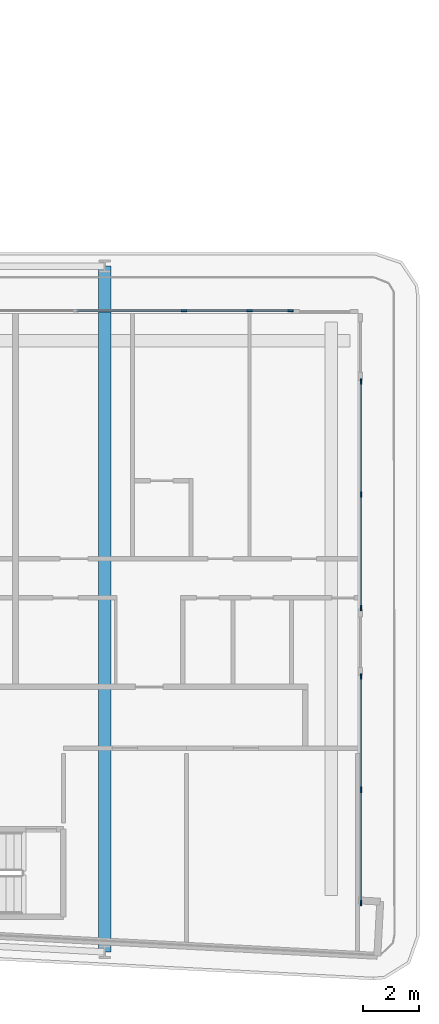
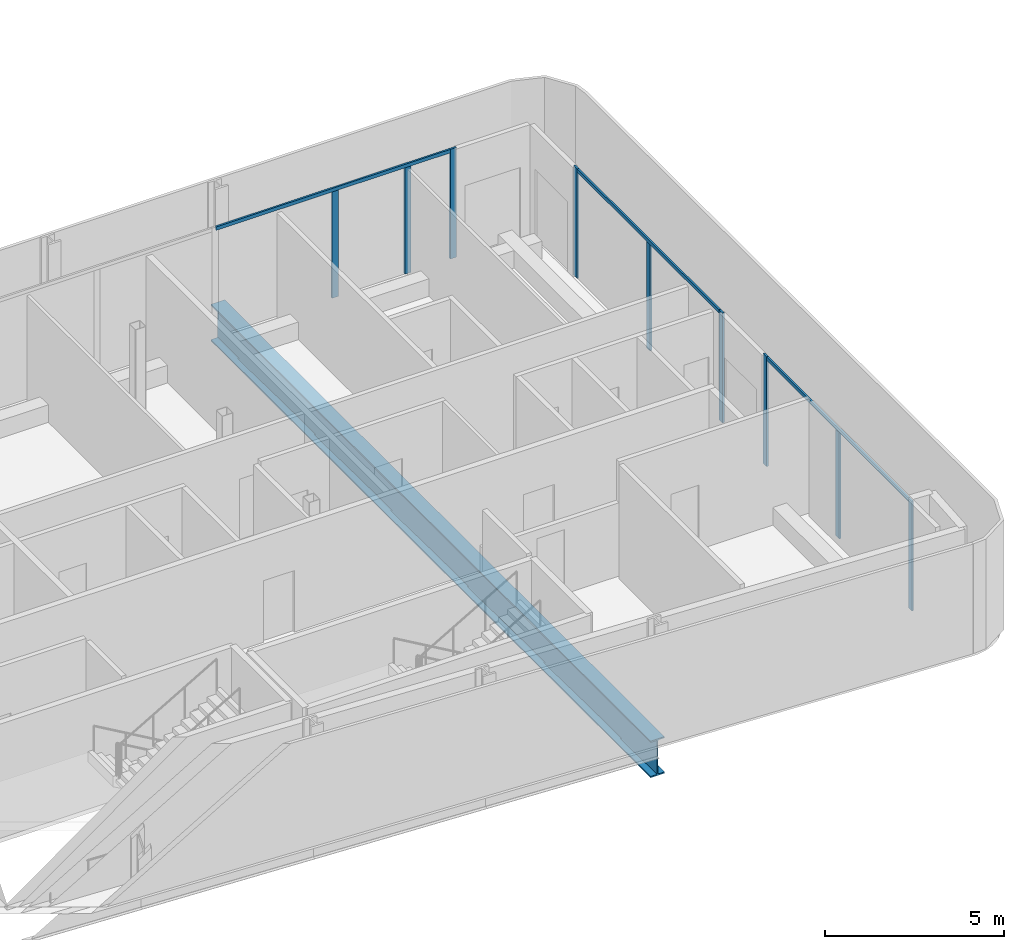
# One storey, part 8 of 26: 12 members, 1 beam, 3 elements without a shape of their own.
"""IFC4 building model written with IfcOpenShell, lengths in metres."""

from ifc_helpers import new_model, si_unit, direction, frame, origin, origin_2d, place, context, subcontext, project, spatial, rectangle, i_section, extrude, material, layer, layer_set, material_profile, profile_set, type_object, element, aggregate, save


model = new_model("IFC4")

# Units and contexts
model_context = context("Model", 3, precision=1e-05, world=origin(), true_north=direction((0.0, 1.0)))
body_context = subcontext(model_context, "Body", "Model", "MODEL_VIEW")
ifc_project = project(units=[si_unit("LENGTHUNIT", "METRE"), si_unit("AREAUNIT", "SQUARE_METRE"), si_unit("VOLUMEUNIT", "CUBIC_METRE"), si_unit("PLANEANGLEUNIT", "RADIAN"), si_unit("MASSUNIT", "GRAM", prefix="KILO")], contexts=[model_context])

# Site, building, storey
site_placement = place(None, origin())
site = spatial("IfcSite", under=ifc_project, at=site_placement, CompositionType="ELEMENT")
building_placement = place(site_placement, origin())
building = spatial("IfcBuilding", under=site, at=building_placement, Name="Kheshtan School and Residences Tower", CompositionType="ELEMENT")
storey_placement = place(building_placement, frame((0.0, 0.0, 105.800048828125)))
storey = spatial("IfcBuildingStorey", under=building, at=storey_placement, Name="L24", CompositionType="ELEMENT", Elevation=105.800048828125)

# Curtain wall, members
ifc_material_1 = material(Name="Clear low-e glass in thermally broken aluminium frame", Category="aluminium")
ifc_layer = layer(ifc_material_1, 0.199951171875)
ifc_layer_set = layer_set([ifc_layer], Name="Curtain wall CW-L")
curtain_wall_type = type_object("IfcCurtainWallType", Name="Curtain wall CW-L", PredefinedType="NOTDEFINED", material=ifc_layer_set)
curtain_wall_1_placement = place(storey_placement, origin())
curtain_wall_1 = element("IfcCurtainWall", 1, at=curtain_wall_1_placement, inside=storey, type_object=curtain_wall_type, Name="Curtain wall CWL8c", PredefinedType="NOTDEFINED")
ifc_material_2 = material(Name="Thermally broken aluminium, dark bronze anodised", Category="aluminium")
ifc_material_profile_1 = material_profile(ifc_material_2, rectangle(XDim=0.06005859375, YDim=0.199951171875, at=origin_2d()), Name="CW-L mullion 60x200")
ifc_profile_set_1 = profile_set([ifc_material_profile_1], Name="Thermally broken aluminium, dark bronze anodised")
member_type_1 = type_object("IfcMemberType", Name="CW-L mullion 60x200", PredefinedType="MULLION", material=ifc_profile_set_1)
member_1_placement = place(storey_placement, frame((93.653076171875, 44.0, 0.0), z_axis=(0.0, 0.0, 1.0), x_axis=(0.0, 1.0, 0.0)))
member_1 = element("IfcMember", 2, at=member_1_placement, type_object=member_type_1, Name="CWL8c mullion 2", PredefinedType="MULLION", context=body_context, shape_type="SweptSolid", body=[
    extrude(rectangle(XDim=0.06005859375, YDim=0.199951171875, at=origin_2d()), origin(), (0.0, 0.0, 1.0), 3.6298828125),
])
member_2_placement = place(storey_placement, frame((96.0, 44.0, 0.0), z_axis=(0.0, 0.0, 1.0), x_axis=(0.0, 1.0, 0.0)))
member_2 = element("IfcMember", 3, at=member_2_placement, type_object=member_type_1, Name="CWL8c mullion 3", PredefinedType="MULLION", context=body_context, shape_type="SweptSolid", body=[
    extrude(rectangle(XDim=0.06005859375, YDim=0.199951171875, at=origin_2d()), origin(), (0.0, 0.0, 1.0), 3.6298828125),
])
member_3_placement = place(storey_placement, frame((97.469970703125, 44.0, 0.0), z_axis=(0.0, 0.0, 1.0), x_axis=(0.0, 1.0, 0.0)))
member_3 = element("IfcMember", 4, at=member_3_placement, type_object=member_type_1, Name="CWL8c mullion 4", PredefinedType="MULLION", context=body_context, shape_type="SweptSolid", body=[
    extrude(rectangle(XDim=0.06005859375, YDim=0.199951171875, at=origin_2d()), origin(), (0.0, 0.0, 1.0), 3.75),
])

curtain_wall_2_placement = place(storey_placement, origin())
curtain_wall_2 = element("IfcCurtainWall", 5, at=curtain_wall_2_placement, inside=storey, type_object=curtain_wall_type, Name="Curtain wall CWL9", PredefinedType="NOTDEFINED")
member_4_placement = place(storey_placement, frame((100.0, 41.469970703125, 0.0), z_axis=(0.0, 0.0, 1.0), x_axis=(1.0, 0.0, 0.0)))
member_4 = element("IfcMember", 6, at=member_4_placement, type_object=member_type_1, Name="CWL9 mullion 1", PredefinedType="MULLION", context=body_context, shape_type="SweptSolid", body=[
    extrude(rectangle(XDim=0.06005859375, YDim=0.199951171875, at=origin_2d()), origin(), (0.0, 0.0, 1.0), 3.75),
])
member_5_placement = place(storey_placement, frame((100.0, 37.403564453125, 0.0), z_axis=(0.0, 0.0, 1.0), x_axis=(1.0, 0.0, 0.0)))
member_5 = element("IfcMember", 7, at=member_5_placement, type_object=member_type_1, Name="CWL9 mullion 2", PredefinedType="MULLION", context=body_context, shape_type="SweptSolid", body=[
    extrude(rectangle(XDim=0.06005859375, YDim=0.199951171875, at=origin_2d()), origin(), (0.0, 0.0, 1.0), 3.6298828125),
])
member_6_placement = place(storey_placement, frame((100.0, 33.3369140625, 0.0), z_axis=(0.0, 0.0, 1.0), x_axis=(1.0, 0.0, 0.0)))
member_6 = element("IfcMember", 8, at=member_6_placement, type_object=member_type_1, Name="CWL9 mullion 3", PredefinedType="MULLION", context=body_context, shape_type="SweptSolid", body=[
    extrude(rectangle(XDim=0.06005859375, YDim=0.199951171875, at=origin_2d()), origin(), (0.0, 0.0, 1.0), 3.75),
])

curtain_wall_3_placement = place(storey_placement, origin())
curtain_wall_3 = element("IfcCurtainWall", 9, at=curtain_wall_3_placement, inside=storey, type_object=curtain_wall_type, Name="Curtain wall CWL9", PredefinedType="NOTDEFINED")
member_7_placement = place(storey_placement, frame((100.0, 30.876953125, 0.0), z_axis=(0.0, 0.0, 1.0), x_axis=(1.0, 0.0, 0.0)))
member_7 = element("IfcMember", 10, at=member_7_placement, type_object=member_type_1, Name="CWL9 mullion 1", PredefinedType="MULLION", context=body_context, shape_type="SweptSolid", body=[
    extrude(rectangle(XDim=0.06005859375, YDim=0.199951171875, at=origin_2d()), origin(), (0.0, 0.0, 1.0), 3.75),
])
member_8_placement = place(storey_placement, frame((100.0, 26.810546875, 0.0), z_axis=(0.0, 0.0, 1.0), x_axis=(1.0, 0.0, 0.0)))
member_8 = element("IfcMember", 11, at=member_8_placement, type_object=member_type_1, Name="CWL9 mullion 2", PredefinedType="MULLION", context=body_context, shape_type="SweptSolid", body=[
    extrude(rectangle(XDim=0.06005859375, YDim=0.199951171875, at=origin_2d()), origin(), (0.0, 0.0, 1.0), 3.6298828125),
])
member_9_placement = place(storey_placement, frame((100.0, 22.743896484375, 0.0), z_axis=(0.0, 0.0, 1.0), x_axis=(1.0, 0.0, 0.0)))
member_9 = element("IfcMember", 12, at=member_9_placement, type_object=member_type_1, Name="CWL9 mullion 3", PredefinedType="MULLION", context=body_context, shape_type="SweptSolid", body=[
    extrude(rectangle(XDim=0.06005859375, YDim=0.199951171875, at=origin_2d()), origin(), (0.0, 0.0, 1.0), 3.75),
])

# Member
ifc_material_profile_2 = material_profile(ifc_material_2, rectangle(XDim=0.06005859375, YDim=0.1201171875, at=origin_2d()), Name="CW-L transom 60x120")
ifc_profile_set_2 = profile_set([ifc_material_profile_2], Name="Thermally broken aluminium, dark bronze anodised")
member_type_2 = type_object("IfcMemberType", Name="CW-L transom 60x120", PredefinedType="USERDEFINED", material=ifc_profile_set_2)
member_10_placement = place(storey_placement, frame((89.805908203125, 44.0, 3.68994140625), z_axis=(1.0, 0.0, 0.0), x_axis=(0.0, 1.0, 0.0)))
member_10 = element("IfcMember", 13, at=member_10_placement, type_object=member_type_2, Name="CWL8c transom 1", ObjectType="TRANSOM", PredefinedType="USERDEFINED", context=body_context, shape_type="SweptSolid", body=[
    extrude(rectangle(XDim=0.06005859375, YDim=0.1201171875, at=origin_2d()), origin(), (0.0, 0.0, 1.0), 7.634033203125),
])

aggregate(curtain_wall_1, [member_1, member_2, member_3, member_10])

member_11_placement = place(storey_placement, frame((100.0, 41.43994140625, 3.68994140625), z_axis=(0.0, -1.0, 0.0), x_axis=(1.0, 0.0, 0.0)))
member_11 = element("IfcMember", 14, at=member_11_placement, type_object=member_type_2, Name="CWL9 transom 1", ObjectType="TRANSOM", PredefinedType="USERDEFINED", context=body_context, shape_type="SweptSolid", body=[
    extrude(rectangle(XDim=0.06005859375, YDim=0.1201171875, at=origin_2d()), origin(), (0.0, 0.0, 1.0), 8.072998046875),
])

aggregate(curtain_wall_2, [member_4, member_5, member_6, member_11])

member_12_placement = place(storey_placement, frame((100.0, 30.846923828125, 3.68994140625), z_axis=(0.0, -1.0, 0.0), x_axis=(1.0, 0.0, 0.0)))
member_12 = element("IfcMember", 15, at=member_12_placement, type_object=member_type_2, Name="CWL9 transom 1", ObjectType="TRANSOM", PredefinedType="USERDEFINED", context=body_context, shape_type="SweptSolid", body=[
    extrude(rectangle(XDim=0.06005859375, YDim=0.1201171875, at=origin_2d()), origin(), (0.0, 0.0, 1.0), 8.072998046875),
])

aggregate(curtain_wall_3, [member_7, member_8, member_9, member_12])

# Beam
ifc_material_3 = material(Name="Steel ASTM A992 Grade 50", Category="steel")
ifc_material_profile_3 = material_profile(ifc_material_3, i_section(OverallWidth=0.449951171875, OverallDepth=1.25, WebThickness=0.02490234375, FlangeThickness=0.044921875, FilletRadius=0.03759765625, at=origin_2d()), Name="WWF1250x546")
ifc_profile_set_3 = profile_set([ifc_material_profile_3], Name="Steel ASTM A992 Grade 50")
beam_type = type_object("IfcBeamType", Name="Transfer girder TG4 WWF1250x546 ASTM A992 Grade 50", PredefinedType="BEAM", material=ifc_profile_set_3)
beam_placement = place(storey_placement, frame((90.800048828125, 45.60009765625, -0.775146484375), z_axis=(0.0, -1.0, 0.0), x_axis=(1.0, 0.0, 0.0)))
element("IfcBeam", 16, at=beam_placement, inside=storey, type_object=beam_type, Name="Transfer girder C068-C006", PredefinedType="BEAM", context=body_context, shape_type="SweptSolid", body=[
    extrude(i_section(OverallWidth=0.449951171875, OverallDepth=1.25, WebThickness=0.02490234375, FlangeThickness=0.044921875, FilletRadius=0.03759765625, at=origin_2d()), origin(), (0.0, 0.0, 1.0), 24.610107421875),
])

save(model, "model.ifc")
